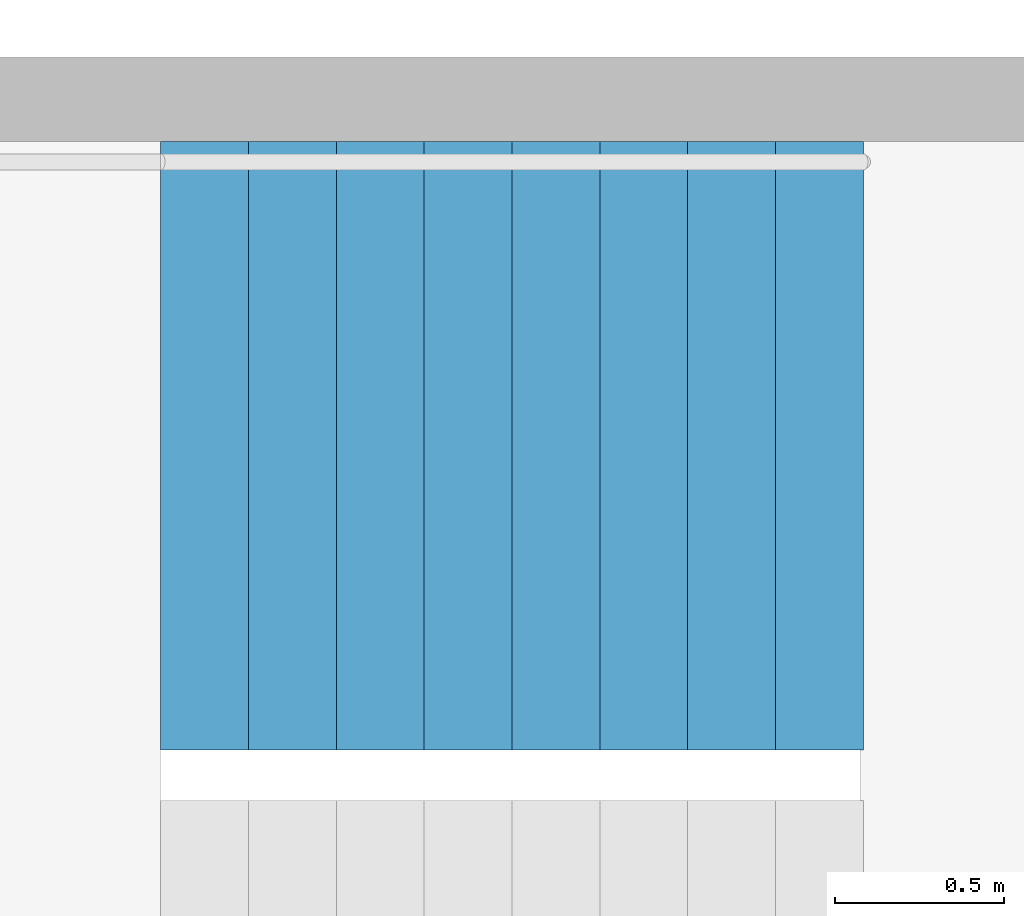
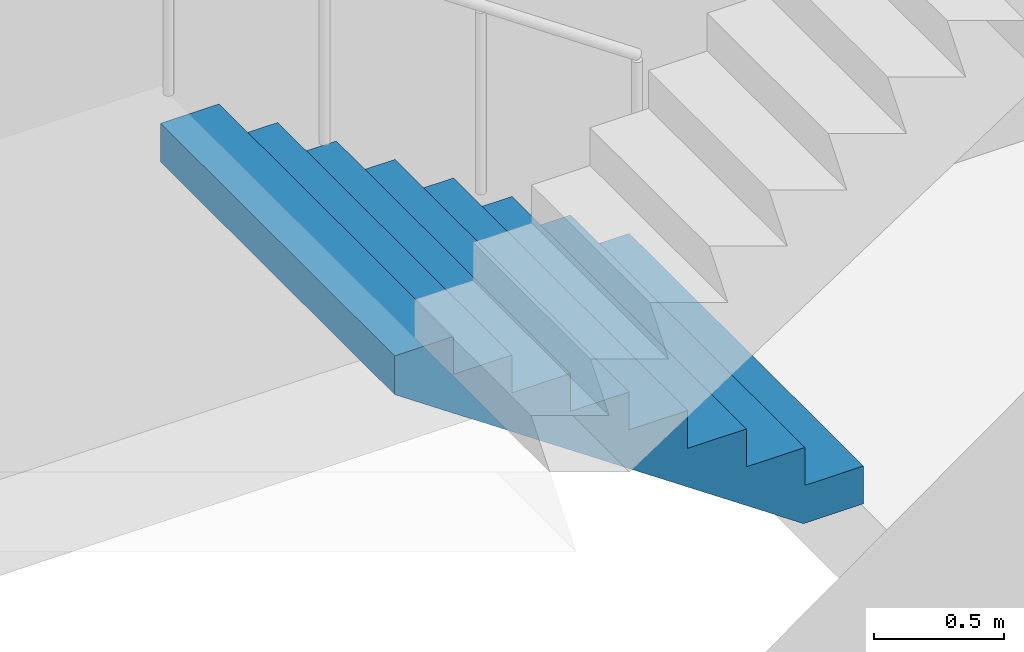
# One storey, part 19 of 26: 1 stair flight, 1 element without a shape of its own.
"""IFC4 building model written with IfcOpenShell, lengths in metres."""

from ifc_helpers import new_model, si_unit, direction, frame, origin, place, context, subcontext, project, spatial, triangles, material, type_object, element, aggregate, save


model = new_model("IFC4")

# Units and contexts
model_context = context("Model", 3, precision=1e-05, world=origin(), true_north=direction((0.0, 1.0)))
body_context = subcontext(model_context, "Body", "Model", "MODEL_VIEW")
ifc_project = project(units=[si_unit("LENGTHUNIT", "METRE"), si_unit("AREAUNIT", "SQUARE_METRE"), si_unit("VOLUMEUNIT", "CUBIC_METRE"), si_unit("PLANEANGLEUNIT", "RADIAN"), si_unit("MASSUNIT", "GRAM", prefix="KILO")], contexts=[model_context])

# Site, building, storey
site_placement = place(None, origin())
site = spatial("IfcSite", under=ifc_project, at=site_placement, CompositionType="ELEMENT")
building_placement = place(site_placement, origin())
building = spatial("IfcBuilding", under=site, at=building_placement, Name="Hakoniwa Tower and Hamabe Station Hall", CompositionType="ELEMENT")
storey_placement = place(building_placement, frame((0.0, 0.0, 221.800048828125)))
storey = spatial("IfcBuildingStorey", under=building, at=storey_placement, Name="L63", CompositionType="ELEMENT", Elevation=221.800048828125)

# Stair, stair flight
ifc_material_1 = material(Name="Concrete C40", Category="concrete")
stair_type = type_object("IfcStairType", Name="ESCAPE STAIR 1800", PredefinedType="HALF_TURN_STAIR", material=ifc_material_1)
stair_placement = place(storey_placement, origin())
stair = element("IfcStair", 1, at=stair_placement, inside=storey, type_object=stair_type, Name="Escape stair ST-2 L63", PredefinedType="HALF_TURN_STAIR")
ifc_material_2 = material(Name="Concrete C40", Category="concrete")
stair_flight_type = type_object("IfcStairFlightType", Name="STAIR FLIGHT 1800", PredefinedType="STRAIGHT", material=ifc_material_2)
stair_flight_placement = place(storey_placement, frame((-23.39990234375, -4.64990234375, 0.0), z_axis=(0.0, 0.0, 1.0), x_axis=(-1.0, 0.0, 0.0)))
stair_flight = element("IfcStairFlight", 2, at=stair_flight_placement, type_object=stair_flight_type, Name="ST-2 flight 1", NumberOfRisers=9, NumberOfTreads=8, PredefinedType="STRAIGHT", RiserHeight=0.177777778, TreadLength=0.26, context=body_context, shape_type="Tessellation", body=[
    triangles([(0.0, 0.89990234375, 0.0), (0.260009765625, 0.89990234375, 0.0), (0.265625, 0.89990234375, 0.0), (0.52001953125, 0.89990234375, 0.174072265625), (0.780029296875, 0.89990234375, 0.351806640625), (1.0400390625, 0.89990234375, 0.529541015625), (1.300048828125, 0.89990234375, 0.707275390625), (1.56005859375, 0.89990234375, 0.885009765625), (1.820068359375, 0.89990234375, 1.062744140625), (2.080078125, 0.89990234375, 1.24072265625), (2.080078125, 0.89990234375, 1.422119140625), (1.820068359375, 0.89990234375, 1.422119140625), (1.820068359375, 0.89990234375, 1.244384765625), (1.56005859375, 0.89990234375, 1.244384765625), (1.56005859375, 0.89990234375, 1.066650390625), (1.300048828125, 0.89990234375, 1.066650390625), (1.300048828125, 0.89990234375, 0.888916015625), (1.0400390625, 0.89990234375, 0.888916015625), (1.0400390625, 0.89990234375, 0.711181640625), (0.780029296875, 0.89990234375, 0.711181640625), (0.780029296875, 0.89990234375, 0.533447265625), (0.52001953125, 0.89990234375, 0.533447265625), (0.52001953125, 0.89990234375, 0.35546875), (0.265625, 0.89990234375, 0.35546875), (0.260009765625, 0.89990234375, 0.35546875), (0.260009765625, 0.89990234375, 0.177734375), (0.0, 0.89990234375, 0.177734375), (0.0, 0.06005859375, 0.0), (0.260009765625, 0.06005859375, 0.0), (0.265625, 0.06005859375, 0.0), (0.52001953125, 0.06005859375, 0.174072265625), (0.780029296875, 0.06005859375, 0.351806640625), (1.0400390625, 0.06005859375, 0.529541015625), (1.300048828125, 0.06005859375, 0.707275390625), (1.56005859375, 0.06005859375, 0.885009765625), (1.820068359375, 0.06005859375, 1.062744140625), (2.080078125, 0.06005859375, 1.24072265625), (2.080078125, 0.06005859375, 1.422119140625), (1.820068359375, 0.06005859375, 1.422119140625), (1.820068359375, 0.06005859375, 1.244384765625), (1.56005859375, 0.06005859375, 1.244384765625), (1.56005859375, 0.06005859375, 1.066650390625), (1.300048828125, 0.06005859375, 1.066650390625), (1.300048828125, 0.06005859375, 0.888916015625), (1.0400390625, 0.06005859375, 0.888916015625), (1.0400390625, 0.06005859375, 0.711181640625), (0.780029296875, 0.06005859375, 0.711181640625), (0.780029296875, 0.06005859375, 0.533447265625), (0.52001953125, 0.06005859375, 0.533447265625), (0.52001953125, 0.06005859375, 0.35546875), (0.265625, 0.06005859375, 0.35546875), (0.260009765625, 0.06005859375, 0.35546875), (0.260009765625, 0.06005859375, 0.177734375), (0.0, 0.06005859375, 0.177734375), (0.0, 0.04296875, 0.0), (0.260009765625, 0.04296875, 0.0), (0.265625, 0.04296875, 0.0), (0.52001953125, 0.04296875, 0.174072265625), (0.780029296875, 0.04296875, 0.351806640625), (1.0400390625, 0.04296875, 0.529541015625), (1.300048828125, 0.04296875, 0.707275390625), (1.56005859375, 0.04296875, 0.885009765625), (1.820068359375, 0.04296875, 1.062744140625), (2.080078125, 0.04296875, 1.24072265625), (2.080078125, 0.04296875, 1.422119140625), (1.820068359375, 0.04296875, 1.422119140625), (1.820068359375, 0.04296875, 1.244384765625), (1.56005859375, 0.04296875, 1.244384765625), (1.56005859375, 0.04296875, 1.066650390625), (1.300048828125, 0.04296875, 1.066650390625), (1.300048828125, 0.04296875, 0.888916015625), (1.0400390625, 0.04296875, 0.888916015625), (1.0400390625, 0.04296875, 0.711181640625), (0.780029296875, 0.04296875, 0.711181640625), (0.780029296875, 0.04296875, 0.533447265625), (0.52001953125, 0.04296875, 0.533447265625), (0.52001953125, 0.04296875, 0.35546875), (0.265625, 0.04296875, 0.35546875), (0.260009765625, 0.04296875, 0.35546875), (0.260009765625, 0.04296875, 0.177734375), (0.0, 0.04296875, 0.177734375), (0.0, 0.025634765625, 0.0), (0.260009765625, 0.025634765625, 0.0), (0.265625, 0.025634765625, 0.0), (0.52001953125, 0.025634765625, 0.174072265625), (0.780029296875, 0.025634765625, 0.351806640625), (1.0400390625, 0.025634765625, 0.529541015625), (1.300048828125, 0.025634765625, 0.707275390625), (1.56005859375, 0.025634765625, 0.885009765625), (1.820068359375, 0.025634765625, 1.062744140625), (2.080078125, 0.025634765625, 1.24072265625), (2.080078125, 0.025634765625, 1.422119140625), (1.820068359375, 0.025634765625, 1.422119140625), (1.820068359375, 0.025634765625, 1.244384765625), (1.56005859375, 0.025634765625, 1.244384765625), (1.56005859375, 0.025634765625, 1.066650390625), (1.300048828125, 0.025634765625, 1.066650390625), (1.300048828125, 0.025634765625, 0.888916015625), (1.0400390625, 0.025634765625, 0.888916015625), (1.0400390625, 0.025634765625, 0.711181640625), (0.780029296875, 0.025634765625, 0.711181640625), (0.780029296875, 0.025634765625, 0.533447265625), (0.52001953125, 0.025634765625, 0.533447265625), (0.52001953125, 0.025634765625, 0.35546875), (0.265625, 0.025634765625, 0.35546875), (0.260009765625, 0.025634765625, 0.35546875), (0.260009765625, 0.025634765625, 0.177734375), (0.0, 0.025634765625, 0.177734375), (0.0, 0.008544921875, 0.0), (0.260009765625, 0.008544921875, 0.0), (0.265625, 0.008544921875, 0.0), (0.52001953125, 0.008544921875, 0.174072265625), (0.780029296875, 0.008544921875, 0.351806640625), (1.0400390625, 0.008544921875, 0.529541015625), (1.300048828125, 0.008544921875, 0.707275390625), (1.56005859375, 0.008544921875, 0.885009765625), (1.820068359375, 0.008544921875, 1.062744140625), (2.080078125, 0.008544921875, 1.24072265625), (2.080078125, 0.008544921875, 1.422119140625), (1.820068359375, 0.008544921875, 1.422119140625), (1.820068359375, 0.008544921875, 1.244384765625), (1.56005859375, 0.008544921875, 1.244384765625), (1.56005859375, 0.008544921875, 1.066650390625), (1.300048828125, 0.008544921875, 1.066650390625), (1.300048828125, 0.008544921875, 0.888916015625), (1.0400390625, 0.008544921875, 0.888916015625), (1.0400390625, 0.008544921875, 0.711181640625), (0.780029296875, 0.008544921875, 0.711181640625), (0.780029296875, 0.008544921875, 0.533447265625), (0.52001953125, 0.008544921875, 0.533447265625), (0.52001953125, 0.008544921875, 0.35546875), (0.265625, 0.008544921875, 0.35546875), (0.260009765625, 0.008544921875, 0.35546875), (0.260009765625, 0.008544921875, 0.177734375), (0.0, 0.008544921875, 0.177734375), (0.0, -0.008544921875, 0.0), (0.260009765625, -0.008544921875, 0.0), (0.265625, -0.008544921875, 0.0), (0.52001953125, -0.008544921875, 0.174072265625), (0.780029296875, -0.008544921875, 0.351806640625), (1.0400390625, -0.008544921875, 0.529541015625), (1.300048828125, -0.008544921875, 0.707275390625), (1.56005859375, -0.008544921875, 0.885009765625), (1.820068359375, -0.008544921875, 1.062744140625), (2.080078125, -0.008544921875, 1.24072265625), (2.080078125, -0.008544921875, 1.422119140625), (1.820068359375, -0.008544921875, 1.422119140625), (1.820068359375, -0.008544921875, 1.244384765625), (1.56005859375, -0.008544921875, 1.244384765625), (1.56005859375, -0.008544921875, 1.066650390625), (1.300048828125, -0.008544921875, 1.066650390625), (1.300048828125, -0.008544921875, 0.888916015625), (1.0400390625, -0.008544921875, 0.888916015625), (1.0400390625, -0.008544921875, 0.711181640625), (0.780029296875, -0.008544921875, 0.711181640625), (0.780029296875, -0.008544921875, 0.533447265625), (0.52001953125, -0.008544921875, 0.533447265625), (0.52001953125, -0.008544921875, 0.35546875), (0.265625, -0.008544921875, 0.35546875), (0.260009765625, -0.008544921875, 0.35546875), (0.260009765625, -0.008544921875, 0.177734375), (0.0, -0.008544921875, 0.177734375), (0.0, -0.025634765625, 0.0), (0.260009765625, -0.025634765625, 0.0), (0.265625, -0.025634765625, 0.0), (0.52001953125, -0.025634765625, 0.174072265625), (0.780029296875, -0.025634765625, 0.351806640625), (1.0400390625, -0.025634765625, 0.529541015625), (1.300048828125, -0.025634765625, 0.707275390625), (1.56005859375, -0.025634765625, 0.885009765625), (1.820068359375, -0.025634765625, 1.062744140625), (2.080078125, -0.025634765625, 1.24072265625), (2.080078125, -0.025634765625, 1.422119140625), (1.820068359375, -0.025634765625, 1.422119140625), (1.820068359375, -0.025634765625, 1.244384765625), (1.56005859375, -0.025634765625, 1.244384765625), (1.56005859375, -0.025634765625, 1.066650390625), (1.300048828125, -0.025634765625, 1.066650390625), (1.300048828125, -0.025634765625, 0.888916015625), (1.0400390625, -0.025634765625, 0.888916015625), (1.0400390625, -0.025634765625, 0.711181640625), (0.780029296875, -0.025634765625, 0.711181640625), (0.780029296875, -0.025634765625, 0.533447265625), (0.52001953125, -0.025634765625, 0.533447265625), (0.52001953125, -0.025634765625, 0.35546875), (0.265625, -0.025634765625, 0.35546875), (0.260009765625, -0.025634765625, 0.35546875), (0.260009765625, -0.025634765625, 0.177734375), (0.0, -0.025634765625, 0.177734375), (0.0, -0.04296875, 0.0), (0.260009765625, -0.04296875, 0.0), (0.265625, -0.04296875, 0.0), (0.52001953125, -0.04296875, 0.174072265625), (0.780029296875, -0.04296875, 0.351806640625), (1.0400390625, -0.04296875, 0.529541015625), (1.300048828125, -0.04296875, 0.707275390625), (1.56005859375, -0.04296875, 0.885009765625), (1.820068359375, -0.04296875, 1.062744140625), (2.080078125, -0.04296875, 1.24072265625), (2.080078125, -0.04296875, 1.422119140625), (1.820068359375, -0.04296875, 1.422119140625), (1.820068359375, -0.04296875, 1.244384765625), (1.56005859375, -0.04296875, 1.244384765625), (1.56005859375, -0.04296875, 1.066650390625), (1.300048828125, -0.04296875, 1.066650390625), (1.300048828125, -0.04296875, 0.888916015625), (1.0400390625, -0.04296875, 0.888916015625), (1.0400390625, -0.04296875, 0.711181640625), (0.780029296875, -0.04296875, 0.711181640625), (0.780029296875, -0.04296875, 0.533447265625), (0.52001953125, -0.04296875, 0.533447265625), (0.52001953125, -0.04296875, 0.35546875), (0.265625, -0.04296875, 0.35546875), (0.260009765625, -0.04296875, 0.35546875), (0.260009765625, -0.04296875, 0.177734375), (0.0, -0.04296875, 0.177734375), (0.0, -0.06005859375, 0.0), (0.260009765625, -0.06005859375, 0.0), (0.265625, -0.06005859375, 0.0), (0.52001953125, -0.06005859375, 0.174072265625), (0.780029296875, -0.06005859375, 0.351806640625), (1.0400390625, -0.06005859375, 0.529541015625), (1.300048828125, -0.06005859375, 0.707275390625), (1.56005859375, -0.06005859375, 0.885009765625), (1.820068359375, -0.06005859375, 1.062744140625), (2.080078125, -0.06005859375, 1.24072265625), (2.080078125, -0.06005859375, 1.422119140625), (1.820068359375, -0.06005859375, 1.422119140625), (1.820068359375, -0.06005859375, 1.244384765625), (1.56005859375, -0.06005859375, 1.244384765625), (1.56005859375, -0.06005859375, 1.066650390625), (1.300048828125, -0.06005859375, 1.066650390625), (1.300048828125, -0.06005859375, 0.888916015625), (1.0400390625, -0.06005859375, 0.888916015625), (1.0400390625, -0.06005859375, 0.711181640625), (0.780029296875, -0.06005859375, 0.711181640625), (0.780029296875, -0.06005859375, 0.533447265625), (0.52001953125, -0.06005859375, 0.533447265625), (0.52001953125, -0.06005859375, 0.35546875), (0.265625, -0.06005859375, 0.35546875), (0.260009765625, -0.06005859375, 0.35546875), (0.260009765625, -0.06005859375, 0.177734375), (0.0, -0.06005859375, 0.177734375), (0.0, -0.89990234375, 0.0), (0.260009765625, -0.89990234375, 0.0), (0.265625, -0.89990234375, 0.0), (0.52001953125, -0.89990234375, 0.174072265625), (0.780029296875, -0.89990234375, 0.351806640625), (1.0400390625, -0.89990234375, 0.529541015625), (1.300048828125, -0.89990234375, 0.707275390625), (1.56005859375, -0.89990234375, 0.885009765625), (1.820068359375, -0.89990234375, 1.062744140625), (2.080078125, -0.89990234375, 1.24072265625), (2.080078125, -0.89990234375, 1.422119140625), (1.820068359375, -0.89990234375, 1.422119140625), (1.820068359375, -0.89990234375, 1.244384765625), (1.56005859375, -0.89990234375, 1.244384765625), (1.56005859375, -0.89990234375, 1.066650390625), (1.300048828125, -0.89990234375, 1.066650390625), (1.300048828125, -0.89990234375, 0.888916015625), (1.0400390625, -0.89990234375, 0.888916015625), (1.0400390625, -0.89990234375, 0.711181640625), (0.780029296875, -0.89990234375, 0.711181640625), (0.780029296875, -0.89990234375, 0.533447265625), (0.52001953125, -0.89990234375, 0.533447265625), (0.52001953125, -0.89990234375, 0.35546875), (0.265625, -0.89990234375, 0.35546875), (0.260009765625, -0.89990234375, 0.35546875), (0.260009765625, -0.89990234375, 0.177734375), (0.0, -0.89990234375, 0.177734375)], [[2, 27, 26], [245, 269, 270], [2, 1, 27], [245, 270, 244], [3, 25, 24], [246, 267, 268], [3, 26, 25], [246, 268, 269], [3, 2, 26], [246, 269, 245], [4, 24, 23], [247, 266, 267], [4, 3, 24], [247, 267, 246], [5, 22, 21], [248, 264, 265], [5, 23, 22], [248, 265, 266], [5, 4, 23], [248, 266, 247], [6, 20, 19], [249, 262, 263], [6, 21, 20], [249, 263, 264], [6, 5, 21], [249, 264, 248], [7, 18, 17], [250, 260, 261], [7, 19, 18], [250, 261, 262], [7, 6, 19], [250, 262, 249], [8, 16, 15], [251, 258, 259], [8, 17, 16], [251, 259, 260], [8, 7, 17], [251, 260, 250], [9, 14, 13], [252, 256, 257], [9, 15, 14], [252, 257, 258], [9, 8, 15], [252, 258, 251], [10, 12, 11], [253, 254, 255], [10, 13, 12], [253, 255, 256], [10, 9, 13], [253, 256, 252], [1, 2, 29], [1, 29, 28], [28, 29, 56], [28, 56, 55], [55, 56, 83], [55, 83, 82], [82, 83, 110], [82, 110, 109], [109, 110, 137], [109, 137, 136], [136, 137, 164], [136, 164, 163], [163, 164, 191], [163, 191, 190], [190, 191, 218], [190, 218, 217], [217, 218, 245], [217, 245, 244], [2, 3, 30], [2, 30, 29], [29, 30, 57], [29, 57, 56], [56, 57, 84], [56, 84, 83], [83, 84, 111], [83, 111, 110], [110, 111, 138], [110, 138, 137], [137, 138, 165], [137, 165, 164], [164, 165, 192], [164, 192, 191], [191, 192, 219], [191, 219, 218], [218, 219, 246], [218, 246, 245], [3, 4, 31], [3, 31, 30], [30, 31, 58], [30, 58, 57], [57, 58, 85], [57, 85, 84], [84, 85, 112], [84, 112, 111], [111, 112, 139], [111, 139, 138], [138, 139, 166], [138, 166, 165], [165, 166, 193], [165, 193, 192], [192, 193, 220], [192, 220, 219], [219, 220, 247], [219, 247, 246], [4, 5, 32], [4, 32, 31], [31, 32, 59], [31, 59, 58], [58, 59, 86], [58, 86, 85], [85, 86, 113], [85, 113, 112], [112, 113, 140], [112, 140, 139], [139, 140, 167], [139, 167, 166], [166, 167, 194], [166, 194, 193], [193, 194, 221], [193, 221, 220], [220, 221, 248], [220, 248, 247], [5, 6, 33], [5, 33, 32], [32, 33, 60], [32, 60, 59], [59, 60, 87], [59, 87, 86], [86, 87, 114], [86, 114, 113], [113, 114, 141], [113, 141, 140], [140, 141, 168], [140, 168, 167], [167, 168, 195], [167, 195, 194], [194, 195, 222], [194, 222, 221], [221, 222, 249], [221, 249, 248], [6, 7, 34], [6, 34, 33], [33, 34, 61], [33, 61, 60], [60, 61, 88], [60, 88, 87], [87, 88, 115], [87, 115, 114], [114, 115, 142], [114, 142, 141], [141, 142, 169], [141, 169, 168], [168, 169, 196], [168, 196, 195], [195, 196, 223], [195, 223, 222], [222, 223, 250], [222, 250, 249], [7, 8, 35], [7, 35, 34], [34, 35, 62], [34, 62, 61], [61, 62, 89], [61, 89, 88], [88, 89, 116], [88, 116, 115], [115, 116, 143], [115, 143, 142], [142, 143, 170], [142, 170, 169], [169, 170, 197], [169, 197, 196], [196, 197, 224], [196, 224, 223], [223, 224, 251], [223, 251, 250], [8, 9, 36], [8, 36, 35], [35, 36, 63], [35, 63, 62], [62, 63, 90], [62, 90, 89], [89, 90, 117], [89, 117, 116], [116, 117, 144], [116, 144, 143], [143, 144, 171], [143, 171, 170], [170, 171, 198], [170, 198, 197], [197, 198, 225], [197, 225, 224], [224, 225, 252], [224, 252, 251], [9, 10, 37], [9, 37, 36], [36, 37, 64], [36, 64, 63], [63, 64, 91], [63, 91, 90], [90, 91, 118], [90, 118, 117], [117, 118, 145], [117, 145, 144], [144, 145, 172], [144, 172, 171], [171, 172, 199], [171, 199, 198], [198, 199, 226], [198, 226, 225], [225, 226, 253], [225, 253, 252], [10, 11, 38], [10, 38, 37], [37, 38, 65], [37, 65, 64], [64, 65, 92], [64, 92, 91], [91, 92, 119], [91, 119, 118], [118, 119, 146], [118, 146, 145], [145, 146, 173], [145, 173, 172], [172, 173, 200], [172, 200, 199], [199, 200, 227], [199, 227, 226], [226, 227, 254], [226, 254, 253], [11, 12, 39], [11, 39, 38], [38, 39, 66], [38, 66, 65], [65, 66, 93], [65, 93, 92], [92, 93, 120], [92, 120, 119], [119, 120, 147], [119, 147, 146], [146, 147, 174], [146, 174, 173], [173, 174, 201], [173, 201, 200], [200, 201, 228], [200, 228, 227], [227, 228, 255], [227, 255, 254], [12, 13, 40], [12, 40, 39], [39, 40, 67], [39, 67, 66], [66, 67, 94], [66, 94, 93], [93, 94, 121], [93, 121, 120], [120, 121, 148], [120, 148, 147], [147, 148, 175], [147, 175, 174], [174, 175, 202], [174, 202, 201], [201, 202, 229], [201, 229, 228], [228, 229, 256], [228, 256, 255], [13, 14, 41], [13, 41, 40], [40, 41, 68], [40, 68, 67], [67, 68, 95], [67, 95, 94], [94, 95, 122], [94, 122, 121], [121, 122, 149], [121, 149, 148], [148, 149, 176], [148, 176, 175], [175, 176, 203], [175, 203, 202], [202, 203, 230], [202, 230, 229], [229, 230, 257], [229, 257, 256], [14, 15, 42], [14, 42, 41], [41, 42, 69], [41, 69, 68], [68, 69, 96], [68, 96, 95], [95, 96, 123], [95, 123, 122], [122, 123, 150], [122, 150, 149], [149, 150, 177], [149, 177, 176], [176, 177, 204], [176, 204, 203], [203, 204, 231], [203, 231, 230], [230, 231, 258], [230, 258, 257], [15, 16, 43], [15, 43, 42], [42, 43, 70], [42, 70, 69], [69, 70, 97], [69, 97, 96], [96, 97, 124], [96, 124, 123], [123, 124, 151], [123, 151, 150], [150, 151, 178], [150, 178, 177], [177, 178, 205], [177, 205, 204], [204, 205, 232], [204, 232, 231], [231, 232, 259], [231, 259, 258], [16, 17, 44], [16, 44, 43], [43, 44, 71], [43, 71, 70], [70, 71, 98], [70, 98, 97], [97, 98, 125], [97, 125, 124], [124, 125, 152], [124, 152, 151], [151, 152, 179], [151, 179, 178], [178, 179, 206], [178, 206, 205], [205, 206, 233], [205, 233, 232], [232, 233, 260], [232, 260, 259], [17, 18, 45], [17, 45, 44], [44, 45, 72], [44, 72, 71], [71, 72, 99], [71, 99, 98], [98, 99, 126], [98, 126, 125], [125, 126, 153], [125, 153, 152], [152, 153, 180], [152, 180, 179], [179, 180, 207], [179, 207, 206], [206, 207, 234], [206, 234, 233], [233, 234, 261], [233, 261, 260], [18, 19, 46], [18, 46, 45], [45, 46, 73], [45, 73, 72], [72, 73, 100], [72, 100, 99], [99, 100, 127], [99, 127, 126], [126, 127, 154], [126, 154, 153], [153, 154, 181], [153, 181, 180], [180, 181, 208], [180, 208, 207], [207, 208, 235], [207, 235, 234], [234, 235, 262], [234, 262, 261], [19, 20, 47], [19, 47, 46], [46, 47, 74], [46, 74, 73], [73, 74, 101], [73, 101, 100], [100, 101, 128], [100, 128, 127], [127, 128, 155], [127, 155, 154], [154, 155, 182], [154, 182, 181], [181, 182, 209], [181, 209, 208], [208, 209, 236], [208, 236, 235], [235, 236, 263], [235, 263, 262], [20, 21, 48], [20, 48, 47], [47, 48, 75], [47, 75, 74], [74, 75, 102], [74, 102, 101], [101, 102, 129], [101, 129, 128], [128, 129, 156], [128, 156, 155], [155, 156, 183], [155, 183, 182], [182, 183, 210], [182, 210, 209], [209, 210, 237], [209, 237, 236], [236, 237, 264], [236, 264, 263], [21, 22, 49], [21, 49, 48], [48, 49, 76], [48, 76, 75], [75, 76, 103], [75, 103, 102], [102, 103, 130], [102, 130, 129], [129, 130, 157], [129, 157, 156], [156, 157, 184], [156, 184, 183], [183, 184, 211], [183, 211, 210], [210, 211, 238], [210, 238, 237], [237, 238, 265], [237, 265, 264], [22, 23, 50], [22, 50, 49], [49, 50, 77], [49, 77, 76], [76, 77, 104], [76, 104, 103], [103, 104, 131], [103, 131, 130], [130, 131, 158], [130, 158, 157], [157, 158, 185], [157, 185, 184], [184, 185, 212], [184, 212, 211], [211, 212, 239], [211, 239, 238], [238, 239, 266], [238, 266, 265], [23, 24, 51], [23, 51, 50], [50, 51, 78], [50, 78, 77], [77, 78, 105], [77, 105, 104], [104, 105, 132], [104, 132, 131], [131, 132, 159], [131, 159, 158], [158, 159, 186], [158, 186, 185], [185, 186, 213], [185, 213, 212], [212, 213, 240], [212, 240, 239], [239, 240, 267], [239, 267, 266], [24, 25, 52], [24, 52, 51], [51, 52, 79], [51, 79, 78], [78, 79, 106], [78, 106, 105], [105, 106, 133], [105, 133, 132], [132, 133, 160], [132, 160, 159], [159, 160, 187], [159, 187, 186], [186, 187, 214], [186, 214, 213], [213, 214, 241], [213, 241, 240], [240, 241, 268], [240, 268, 267], [25, 26, 53], [25, 53, 52], [52, 53, 80], [52, 80, 79], [79, 80, 107], [79, 107, 106], [106, 107, 134], [106, 134, 133], [133, 134, 161], [133, 161, 160], [160, 161, 188], [160, 188, 187], [187, 188, 215], [187, 215, 214], [214, 215, 242], [214, 242, 241], [241, 242, 269], [241, 269, 268], [26, 27, 54], [26, 54, 53], [53, 54, 81], [53, 81, 80], [80, 81, 108], [80, 108, 107], [107, 108, 135], [107, 135, 134], [134, 135, 162], [134, 162, 161], [161, 162, 189], [161, 189, 188], [188, 189, 216], [188, 216, 215], [215, 216, 243], [215, 243, 242], [242, 243, 270], [242, 270, 269], [27, 1, 28], [27, 28, 54], [54, 28, 55], [54, 55, 81], [81, 55, 82], [81, 82, 108], [108, 82, 109], [108, 109, 135], [135, 109, 136], [135, 136, 162], [162, 136, 163], [162, 163, 189], [189, 163, 190], [189, 190, 216], [216, 190, 217], [216, 217, 243], [243, 217, 244], [243, 244, 270]], closed=True),
])
aggregate(stair, [stair_flight])

save(model, "model.ifc")
